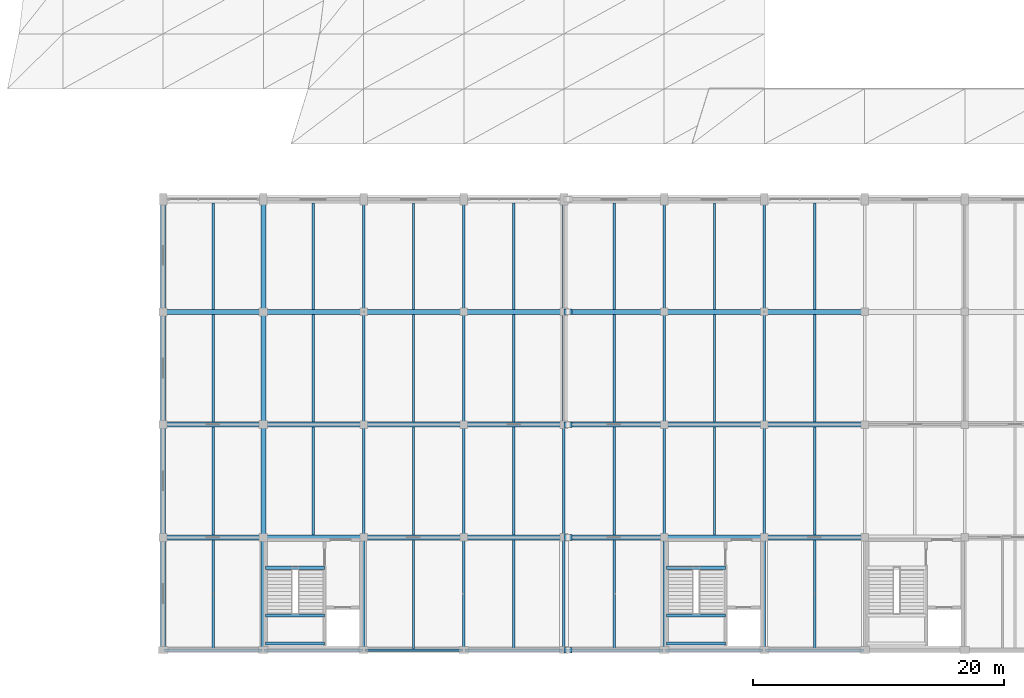
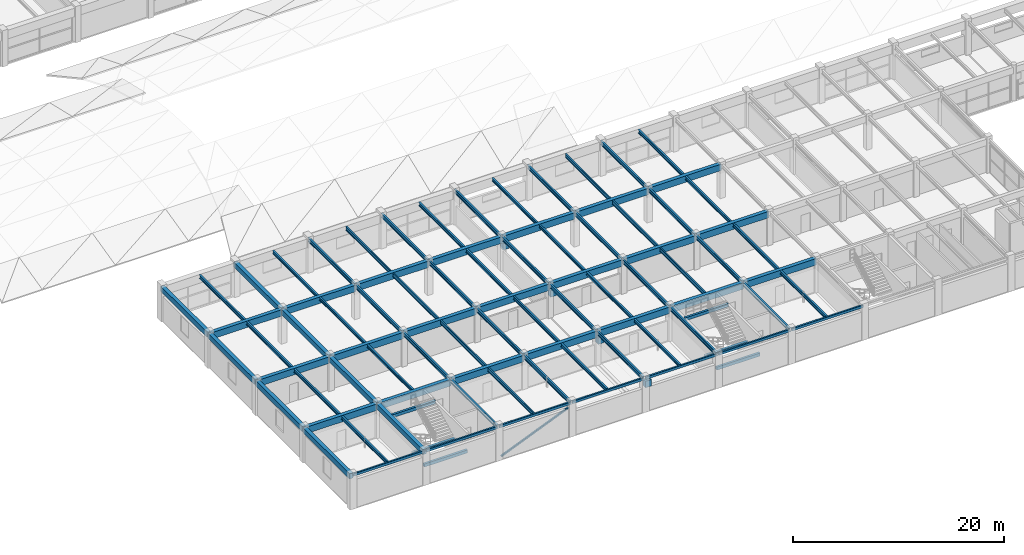
# One storey, part 8 of 126: 92 beams, 1 member.
"""IFC4 building model written with IfcOpenShell, lengths in metres."""

from ifc_helpers import new_model, si_unit, direction, frame, origin, origin_2d, place, context, subcontext, project, spatial, rectangle, hollow_rectangle, i_section, extrude, material, material_profile, profile_set, type_object, element, save


model = new_model("IFC4")

# Units and contexts
model_context = context("Model", 3, precision=1e-05, world=origin(), true_north=direction((0.0, 1.0)))
body_context = subcontext(model_context, "Body", "Model", "MODEL_VIEW")
ifc_project = project(units=[si_unit("LENGTHUNIT", "METRE"), si_unit("AREAUNIT", "SQUARE_METRE"), si_unit("VOLUMEUNIT", "CUBIC_METRE"), si_unit("PLANEANGLEUNIT", "RADIAN"), si_unit("MASSUNIT", "GRAM", prefix="KILO")], contexts=[model_context])

# Site, building, storey
site_placement = place(None, origin())
site = spatial("IfcSite", under=ifc_project, at=site_placement, CompositionType="ELEMENT")
building_placement = place(site_placement, origin())
building = spatial("IfcBuilding", under=site, at=building_placement, Name="Varnabhumi Central Station", CompositionType="ELEMENT")
storey_placement = place(building_placement, frame((0.0, 0.0, 16.199951171875)))
storey = spatial("IfcBuildingStorey", under=building, at=storey_placement, Name="L03", CompositionType="ELEMENT", Elevation=16.199951171875)

# Beams
ifc_material_1 = material(Name="Structural steel E350", Category="steel")
ifc_material_profile_1 = material_profile(ifc_material_1, hollow_rectangle(XDim=0.199951171875, YDim=0.300048828125, WallThickness=0.011962890625, InnerFilletRadius=0.011962890625, OuterFilletRadius=0.02392578125, at=origin_2d()), Name="Structural steel E350", Category="steel")
ifc_profile_set_1 = profile_set([ifc_material_profile_1], Name="Structural steel E350")
beam_type_1 = type_object("IfcBeamType", Name="BM-EDGE-RHS300", PredefinedType="SPANDREL", material=ifc_profile_set_1)
for number, where, z_axis, x_axis, name in (
    (1, (32.10009765625, 0.0, 3.77001953125), (1.0, 0.0, 0.0), (0.0, 1.0, 0.0), "Beam L03-A:5-6"),
    (2, (40.10009765625, 0.0, 3.77001953125), (1.0, 0.0, 0.0), (0.0, 1.0, 0.0), "Beam L03-A:6-7"),
    (3, (48.10009765625, 0.0, 3.77001953125), (1.0, 0.0, 0.0), (0.0, 1.0, 0.0), "Beam L03-A:7-8"),
    (4, (56.10009765625, 0.0, 3.77001953125), (1.0, 0.0, 0.0), (0.0, 1.0, 0.0), "Beam L03-A:8-9"),
    (5, (64.10009765625, 0.0, 3.77001953125), (1.0, 0.0, 0.0), (0.0, 1.0, 0.0), "Beam L03-A:9-10"),
    (6, (72.10009765625, 0.0, 3.77001953125), (1.0, 0.0, 0.0), (0.0, 1.0, 0.0), "Beam L03-A:10-11"),
    (7, (80.10009765625, 0.0, 3.77001953125), (1.0, 0.0, 0.0), (0.0, 1.0, 0.0), "Beam L03-A:11-12"),
):
    element("IfcBeam", number, at=place(storey_placement, frame(where, z_axis=z_axis, x_axis=x_axis)), inside=storey, type_object=beam_type_1, Name=name, PredefinedType="SPANDREL", context=body_context, shape_type="SweptSolid", body=[
        extrude(hollow_rectangle(XDim=0.199951171875, YDim=0.300048828125, WallThickness=0.011962890625, InnerFilletRadius=0.011962890625, OuterFilletRadius=0.02392578125, at=origin_2d()), origin(), (0.0, 0.0, 1.0), 7.7998046875),
    ])
ifc_material_profile_2 = material_profile(ifc_material_1, i_section(OverallWidth=0.14990234375, OverallDepth=0.449951171875, WebThickness=0.009521484375, FlangeThickness=0.017333984375, FilletRadius=0.014892578125, at=origin_2d()), Name="Structural steel E350", Category="steel")
ifc_profile_set_2 = profile_set([ifc_material_profile_2], Name="Structural steel E350")
beam_type_2 = type_object("IfcBeamType", Name="BM-JST-ISMB450", PredefinedType="JOIST", material=ifc_profile_set_2)
beam_1_placement = place(storey_placement, frame((52.0, 0.10009765625, 3.695068359375), z_axis=(0.0, 1.0, 0.0), x_axis=(-1.0, 0.0, 0.0)))
element("IfcBeam", 8, at=beam_1_placement, inside=storey, type_object=beam_type_2, Name="Secondary Joist L03-7/8:A-B", PredefinedType="JOIST", context=body_context, shape_type="SweptSolid", body=[
    extrude(i_section(OverallWidth=0.14990234375, OverallDepth=0.449951171875, WebThickness=0.009521484375, FlangeThickness=0.017333984375, FilletRadius=0.014892578125, at=origin_2d()), origin(), (0.0, 0.0, 1.0), 8.699951171875),
])
for number, where, z_axis, x_axis, name in (
    (9, (52.0, 9.199951171875, 3.695068359375), (0.0, 1.0, 0.0), (-1.0, 0.0, 0.0), "Secondary Joist L03-7/8:B-C"),
    (10, (76.0, 9.199951171875, 3.695068359375), (0.0, 1.0, 0.0), (-1.0, 0.0, 0.0), "Secondary Joist L03-10/11:B-C"),
    (11, (52.0, 18.199951171875, 3.695068359375), (0.0, 1.0, 0.0), (-1.0, 0.0, 0.0), "Secondary Joist L03-7/8:C-D"),
    (12, (76.0, 18.199951171875, 3.695068359375), (0.0, 1.0, 0.0), (-1.0, 0.0, 0.0), "Secondary Joist L03-10/11:C-D"),
):
    element("IfcBeam", number, at=place(storey_placement, frame(where, z_axis=z_axis, x_axis=x_axis)), inside=storey, type_object=beam_type_2, Name=name, PredefinedType="JOIST", context=body_context, shape_type="SweptSolid", body=[
        extrude(i_section(OverallWidth=0.14990234375, OverallDepth=0.449951171875, WebThickness=0.009521484375, FlangeThickness=0.017333984375, FilletRadius=0.014892578125, at=origin_2d()), origin(), (0.0, 0.0, 1.0), 8.60009765625),
    ])
for number, where, z_axis, x_axis, name in (
    (13, (52.0, 27.199951171875, 3.695068359375), (0.0, 1.0, 0.0), (-1.0, 0.0, 0.0), "Secondary Joist L03-7/8:D-E"),
    (14, (76.0, 27.199951171875, 3.695068359375), (0.0, 1.0, 0.0), (-1.0, 0.0, 0.0), "Secondary Joist L03-10/11:D-E"),
):
    element("IfcBeam", number, at=place(storey_placement, frame(where, z_axis=z_axis, x_axis=x_axis)), inside=storey, type_object=beam_type_2, Name=name, PredefinedType="JOIST", context=body_context, shape_type="SweptSolid", body=[
        extrude(i_section(OverallWidth=0.14990234375, OverallDepth=0.449951171875, WebThickness=0.009521484375, FlangeThickness=0.017333984375, FilletRadius=0.014892578125, at=origin_2d()), origin(), (0.0, 0.0, 1.0), 8.5),
    ])
ifc_material_2 = material(Name="Concrete M35", Category="concrete")
ifc_material_profile_3 = material_profile(ifc_material_2, rectangle(XDim=0.25, YDim=0.35009765625, at=origin_2d()), Name="Concrete M35", Category="concrete")
ifc_profile_set_3 = profile_set([ifc_material_profile_3], Name="Concrete M35")
beam_type_3 = type_object("IfcBeamType", Name="BM-RC-250x350", PredefinedType="LINTEL", material=ifc_profile_set_3)
for number, where, z_axis, x_axis, name in (
    (15, (40.179931640625, 0.5400390625, 1.7451171875), (1.0, 0.0, 0.0), (0.0, 1.0, 0.0), "ST-S1 L03 Half Landing Support Beam 1"),
    (16, (40.179931640625, 2.77490234375, 1.7451171875), (1.0, 0.0, 0.0), (0.0, 1.0, 0.0), "ST-S1 L03 Half Landing Support Beam 2"),
    (17, (40.179931640625, 6.580078125, 3.775146484375), (1.0, 0.0, 0.0), (0.0, 1.0, 0.0), "ST-S1 L03 Floor Opening Trimmer Beam"),
    (18, (72.179931640625, 0.5400390625, 1.7451171875), (1.0, 0.0, 0.0), (0.0, 1.0, 0.0), "ST-S4 L03 Half Landing Support Beam 1"),
    (19, (72.179931640625, 2.77490234375, 1.7451171875), (1.0, 0.0, 0.0), (0.0, 1.0, 0.0), "ST-S4 L03 Half Landing Support Beam 2"),
    (20, (72.179931640625, 6.580078125, 3.775146484375), (1.0, 0.0, 0.0), (0.0, 1.0, 0.0), "ST-S4 L03 Floor Opening Trimmer Beam"),
):
    element("IfcBeam", number, at=place(storey_placement, frame(where, z_axis=z_axis, x_axis=x_axis)), inside=storey, type_object=beam_type_3, Name=name, PredefinedType="LINTEL", context=body_context, shape_type="SweptSolid", body=[
        extrude(rectangle(XDim=0.25, YDim=0.35009765625, at=origin_2d()), origin(), (0.0, 0.0, 1.0), 4.719970703125),
    ])
ifc_material_3 = material(Name="Concrete M40", Category="concrete")
ifc_material_profile_4 = material_profile(ifc_material_3, rectangle(XDim=0.39990234375, YDim=0.60009765625, at=origin_2d()), Name="Concrete M40", Category="concrete")
ifc_profile_set_4 = profile_set([ifc_material_profile_4], Name="Concrete M40")
beam_type_4 = type_object("IfcBeamType", Name="BM-RC-400x600", PredefinedType="BEAM", material=ifc_profile_set_4)
for number, where, z_axis, x_axis, name in (
    (21, (32.0, 0.10009765625, 3.6201171875), (0.0, 1.0, 0.0), (-1.0, 0.0, 0.0), "Beam L03-5:A-B"),
    (22, (40.0, 0.10009765625, 3.6201171875), (0.0, 1.0, 0.0), (-1.0, 0.0, 0.0), "Beam L03-6:A-B"),
    (23, (32.0, 9.10009765625, 3.6201171875), (0.0, 1.0, 0.0), (-1.0, 0.0, 0.0), "Beam L03-5:B-C"),
    (24, (40.0, 9.10009765625, 3.6201171875), (0.0, 1.0, 0.0), (-1.0, 0.0, 0.0), "Beam L03-6:B-C"),
    (25, (32.0, 18.10009765625, 3.6201171875), (0.0, 1.0, 0.0), (-1.0, 0.0, 0.0), "Beam L03-5:C-D"),
    (26, (40.0, 18.10009765625, 3.6201171875), (0.0, 1.0, 0.0), (-1.0, 0.0, 0.0), "Beam L03-6:C-D"),
    (27, (32.0, 27.10009765625, 3.6201171875), (0.0, 1.0, 0.0), (-1.0, 0.0, 0.0), "Beam L03-5:D-E"),
    (28, (40.0, 27.10009765625, 3.6201171875), (0.0, 1.0, 0.0), (-1.0, 0.0, 0.0), "Beam L03-6:D-E"),
):
    element("IfcBeam", number, at=place(storey_placement, frame(where, z_axis=z_axis, x_axis=x_axis)), inside=storey, type_object=beam_type_4, Name=name, PredefinedType="BEAM", context=body_context, shape_type="SweptSolid", body=[
        extrude(rectangle(XDim=0.39990234375, YDim=0.60009765625, at=origin_2d()), origin(), (0.0, 0.0, 1.0), 8.7998046875),
    ])
ifc_material_profile_5 = material_profile(ifc_material_3, rectangle(XDim=0.39990234375, YDim=0.75, at=origin_2d()), Name="Concrete M40", Category="concrete")
ifc_profile_set_5 = profile_set([ifc_material_profile_5], Name="Concrete M40")
beam_type_5 = type_object("IfcBeamType", Name="BM-RC-400x750", PredefinedType="BEAM", material=ifc_profile_set_5)
for number, where, z_axis, x_axis, name in (
    (29, (32.10009765625, 9.0, 3.545166015625), (1.0, 0.0, 0.0), (0.0, 1.0, 0.0), "Beam L03-B:5-6"),
    (30, (32.10009765625, 18.0, 3.545166015625), (1.0, 0.0, 0.0), (0.0, 1.0, 0.0), "Beam L03-C:5-6"),
    (31, (32.10009765625, 27.0, 3.545166015625), (1.0, 0.0, 0.0), (0.0, 1.0, 0.0), "Beam L03-D:5-6"),
    (32, (40.10009765625, 9.0, 3.545166015625), (1.0, 0.0, 0.0), (0.0, 1.0, 0.0), "Beam L03-B:6-7"),
    (33, (40.10009765625, 18.0, 3.545166015625), (1.0, 0.0, 0.0), (0.0, 1.0, 0.0), "Beam L03-C:6-7"),
    (34, (40.10009765625, 27.0, 3.545166015625), (1.0, 0.0, 0.0), (0.0, 1.0, 0.0), "Beam L03-D:6-7"),
    (35, (48.10009765625, 9.0, 3.545166015625), (1.0, 0.0, 0.0), (0.0, 1.0, 0.0), "Beam L03-B:7-8"),
    (36, (48.10009765625, 18.0, 3.545166015625), (1.0, 0.0, 0.0), (0.0, 1.0, 0.0), "Beam L03-C:7-8"),
    (37, (48.10009765625, 27.0, 3.545166015625), (1.0, 0.0, 0.0), (0.0, 1.0, 0.0), "Beam L03-D:7-8"),
    (38, (56.10009765625, 9.0, 3.545166015625), (1.0, 0.0, 0.0), (0.0, 1.0, 0.0), "Beam L03-B:8-9"),
    (39, (56.10009765625, 18.0, 3.545166015625), (1.0, 0.0, 0.0), (0.0, 1.0, 0.0), "Beam L03-C:8-9"),
    (40, (56.10009765625, 27.0, 3.545166015625), (1.0, 0.0, 0.0), (0.0, 1.0, 0.0), "Beam L03-D:8-9"),
    (41, (64.10009765625, 9.0, 3.545166015625), (1.0, 0.0, 0.0), (0.0, 1.0, 0.0), "Beam L03-B:9-10"),
    (42, (64.10009765625, 18.0, 3.545166015625), (1.0, 0.0, 0.0), (0.0, 1.0, 0.0), "Beam L03-C:9-10"),
    (43, (64.10009765625, 27.0, 3.545166015625), (1.0, 0.0, 0.0), (0.0, 1.0, 0.0), "Beam L03-D:9-10"),
    (44, (72.10009765625, 9.0, 3.545166015625), (1.0, 0.0, 0.0), (0.0, 1.0, 0.0), "Beam L03-B:10-11"),
    (45, (72.10009765625, 18.0, 3.545166015625), (1.0, 0.0, 0.0), (0.0, 1.0, 0.0), "Beam L03-C:10-11"),
    (46, (72.10009765625, 27.0, 3.545166015625), (1.0, 0.0, 0.0), (0.0, 1.0, 0.0), "Beam L03-D:10-11"),
    (47, (80.10009765625, 9.0, 3.545166015625), (1.0, 0.0, 0.0), (0.0, 1.0, 0.0), "Beam L03-B:11-12"),
    (48, (80.10009765625, 18.0, 3.545166015625), (1.0, 0.0, 0.0), (0.0, 1.0, 0.0), "Beam L03-C:11-12"),
    (49, (80.10009765625, 27.0, 3.545166015625), (1.0, 0.0, 0.0), (0.0, 1.0, 0.0), "Beam L03-D:11-12"),
):
    element("IfcBeam", number, at=place(storey_placement, frame(where, z_axis=z_axis, x_axis=x_axis)), inside=storey, type_object=beam_type_5, Name=name, PredefinedType="BEAM", context=body_context, shape_type="SweptSolid", body=[
        extrude(rectangle(XDim=0.39990234375, YDim=0.75, at=origin_2d()), origin(), (0.0, 0.0, 1.0), 7.7998046875),
    ])
ifc_material_profile_6 = material_profile(ifc_material_3, rectangle(XDim=0.449951171875, YDim=0.75, at=origin_2d()), Name="Concrete M40", Category="concrete")
ifc_profile_set_6 = profile_set([ifc_material_profile_6], Name="Concrete M40")
beam_type_6 = type_object("IfcBeamType", Name="BM-RC-450x750", PredefinedType="BEAM", material=ifc_profile_set_6)
for number, where, z_axis, x_axis, name in (
    (50, (64.0, 0.0, 3.1650390625), (1.0, 0.0, 0.0), (0.0, 1.0, 0.0), "Movement Joint 650mm Corbel Seat L03-A-9"),
    (51, (64.0, 9.0, 2.715087890625), (1.0, 0.0, 0.0), (0.0, 1.0, 0.0), "Movement Joint 650mm Corbel Seat L03-B-9"),
    (52, (64.0, 18.0, 2.715087890625), (1.0, 0.0, 0.0), (0.0, 1.0, 0.0), "Movement Joint 650mm Corbel Seat L03-C-9"),
    (53, (64.0, 27.0, 2.715087890625), (1.0, 0.0, 0.0), (0.0, 1.0, 0.0), "Movement Joint 650mm Corbel Seat L03-D-9"),
):
    element("IfcBeam", number, at=place(storey_placement, frame(where, z_axis=z_axis, x_axis=x_axis)), inside=storey, type_object=beam_type_6, Name=name, PredefinedType="BEAM", context=body_context, shape_type="SweptSolid", body=[
        extrude(rectangle(XDim=0.449951171875, YDim=0.75, at=origin_2d()), origin(), (0.0, 0.0, 1.0), 0.64990234375),
    ])
ifc_material_profile_7 = material_profile(ifc_material_1, i_section(OverallWidth=0.199951171875, OverallDepth=0.39990234375, WebThickness=0.008544921875, FlangeThickness=0.012939453125, FilletRadius=0.012939453125, at=origin_2d()), Name="Structural steel E350", Category="steel")
ifc_profile_set_7 = profile_set([ifc_material_profile_7], Name="Structural steel E350")
beam_type_7 = type_object("IfcBeamType", Name="BM-SEC-ISWB400", PredefinedType="JOIST", material=ifc_profile_set_7)
for number, where, z_axis, x_axis, name in (
    (54, (36.0, 0.10009765625, 3.719970703125), (0.0, 1.0, 0.0), (-1.0, 0.0, 0.0), "Secondary Joist L03-5/6:A-B"),
    (55, (60.0, 0.10009765625, 3.719970703125), (0.0, 1.0, 0.0), (-1.0, 0.0, 0.0), "Secondary Joist L03-8/9:A-B"),
    (56, (84.0, 0.10009765625, 3.719970703125), (0.0, 1.0, 0.0), (-1.0, 0.0, 0.0), "Secondary Joist L03-11/12:A-B"),
):
    element("IfcBeam", number, at=place(storey_placement, frame(where, z_axis=z_axis, x_axis=x_axis)), inside=storey, type_object=beam_type_7, Name=name, PredefinedType="JOIST", context=body_context, shape_type="SweptSolid", body=[
        extrude(i_section(OverallWidth=0.199951171875, OverallDepth=0.39990234375, WebThickness=0.008544921875, FlangeThickness=0.012939453125, FilletRadius=0.012939453125, at=origin_2d()), origin(), (0.0, 0.0, 1.0), 8.699951171875),
    ])
for number, where, z_axis, x_axis, name in (
    (57, (36.0, 9.199951171875, 3.719970703125), (0.0, 1.0, 0.0), (-1.0, 0.0, 0.0), "Secondary Joist L03-5/6:B-C"),
    (58, (60.0, 9.199951171875, 3.719970703125), (0.0, 1.0, 0.0), (-1.0, 0.0, 0.0), "Secondary Joist L03-8/9:B-C"),
    (59, (84.0, 9.199951171875, 3.719970703125), (0.0, 1.0, 0.0), (-1.0, 0.0, 0.0), "Secondary Joist L03-11/12:B-C"),
    (60, (36.0, 18.199951171875, 3.719970703125), (0.0, 1.0, 0.0), (-1.0, 0.0, 0.0), "Secondary Joist L03-5/6:C-D"),
    (61, (60.0, 18.199951171875, 3.719970703125), (0.0, 1.0, 0.0), (-1.0, 0.0, 0.0), "Secondary Joist L03-8/9:C-D"),
    (62, (84.0, 18.199951171875, 3.719970703125), (0.0, 1.0, 0.0), (-1.0, 0.0, 0.0), "Secondary Joist L03-11/12:C-D"),
):
    element("IfcBeam", number, at=place(storey_placement, frame(where, z_axis=z_axis, x_axis=x_axis)), inside=storey, type_object=beam_type_7, Name=name, PredefinedType="JOIST", context=body_context, shape_type="SweptSolid", body=[
        extrude(i_section(OverallWidth=0.199951171875, OverallDepth=0.39990234375, WebThickness=0.008544921875, FlangeThickness=0.012939453125, FilletRadius=0.012939453125, at=origin_2d()), origin(), (0.0, 0.0, 1.0), 8.60009765625),
    ])
for number, where, z_axis, x_axis, name in (
    (63, (36.0, 27.199951171875, 3.719970703125), (0.0, 1.0, 0.0), (-1.0, 0.0, 0.0), "Secondary Joist L03-5/6:D-E"),
    (64, (60.0, 27.199951171875, 3.719970703125), (0.0, 1.0, 0.0), (-1.0, 0.0, 0.0), "Secondary Joist L03-8/9:D-E"),
    (65, (84.0, 27.199951171875, 3.719970703125), (0.0, 1.0, 0.0), (-1.0, 0.0, 0.0), "Secondary Joist L03-11/12:D-E"),
):
    element("IfcBeam", number, at=place(storey_placement, frame(where, z_axis=z_axis, x_axis=x_axis)), inside=storey, type_object=beam_type_7, Name=name, PredefinedType="JOIST", context=body_context, shape_type="SweptSolid", body=[
        extrude(i_section(OverallWidth=0.199951171875, OverallDepth=0.39990234375, WebThickness=0.008544921875, FlangeThickness=0.012939453125, FilletRadius=0.012939453125, at=origin_2d()), origin(), (0.0, 0.0, 1.0), 8.5),
    ])
ifc_material_profile_8 = material_profile(ifc_material_1, i_section(OverallWidth=0.199951171875, OverallDepth=0.35009765625, WebThickness=0.008056640625, FlangeThickness=0.011474609375, FilletRadius=0.011962890625, at=origin_2d()), Name="Structural steel E350", Category="steel")
ifc_profile_set_8 = profile_set([ifc_material_profile_8], Name="Structural steel E350")
beam_type_8 = type_object("IfcBeamType", Name="BM-STL-ISWB350", PredefinedType="JOIST", material=ifc_profile_set_8)
beam_2_placement = place(storey_placement, frame((68.0, 0.10009765625, 3.7451171875), z_axis=(0.0, 1.0, 0.0), x_axis=(-1.0, 0.0, 0.0)))
element("IfcBeam", 66, at=beam_2_placement, inside=storey, type_object=beam_type_8, Name="Secondary Joist L03-9/10:A-B", PredefinedType="JOIST", context=body_context, shape_type="SweptSolid", body=[
    extrude(i_section(OverallWidth=0.199951171875, OverallDepth=0.35009765625, WebThickness=0.008056640625, FlangeThickness=0.011474609375, FilletRadius=0.011962890625, at=origin_2d()), origin(), (0.0, 0.0, 1.0), 8.699951171875),
])
for number, where, z_axis, x_axis, name in (
    (67, (44.0, 9.199951171875, 3.7451171875), (0.0, 1.0, 0.0), (-1.0, 0.0, 0.0), "Secondary Joist L03-6/7:B-C"),
    (68, (68.0, 9.199951171875, 3.7451171875), (0.0, 1.0, 0.0), (-1.0, 0.0, 0.0), "Secondary Joist L03-9/10:B-C"),
    (69, (44.0, 18.199951171875, 3.7451171875), (0.0, 1.0, 0.0), (-1.0, 0.0, 0.0), "Secondary Joist L03-6/7:C-D"),
    (70, (68.0, 18.199951171875, 3.7451171875), (0.0, 1.0, 0.0), (-1.0, 0.0, 0.0), "Secondary Joist L03-9/10:C-D"),
):
    element("IfcBeam", number, at=place(storey_placement, frame(where, z_axis=z_axis, x_axis=x_axis)), inside=storey, type_object=beam_type_8, Name=name, PredefinedType="JOIST", context=body_context, shape_type="SweptSolid", body=[
        extrude(i_section(OverallWidth=0.199951171875, OverallDepth=0.35009765625, WebThickness=0.008056640625, FlangeThickness=0.011474609375, FilletRadius=0.011962890625, at=origin_2d()), origin(), (0.0, 0.0, 1.0), 8.60009765625),
    ])
for number, where, z_axis, x_axis, name in (
    (71, (44.0, 27.199951171875, 3.7451171875), (0.0, 1.0, 0.0), (-1.0, 0.0, 0.0), "Secondary Joist L03-6/7:D-E"),
    (72, (68.0, 27.199951171875, 3.7451171875), (0.0, 1.0, 0.0), (-1.0, 0.0, 0.0), "Secondary Joist L03-9/10:D-E"),
):
    element("IfcBeam", number, at=place(storey_placement, frame(where, z_axis=z_axis, x_axis=x_axis)), inside=storey, type_object=beam_type_8, Name=name, PredefinedType="JOIST", context=body_context, shape_type="SweptSolid", body=[
        extrude(i_section(OverallWidth=0.199951171875, OverallDepth=0.35009765625, WebThickness=0.008056640625, FlangeThickness=0.011474609375, FilletRadius=0.011962890625, at=origin_2d()), origin(), (0.0, 0.0, 1.0), 8.5),
    ])
ifc_material_profile_9 = material_profile(ifc_material_1, i_section(OverallWidth=0.199951171875, OverallDepth=0.449951171875, WebThickness=0.00927734375, FlangeThickness=0.015380859375, FilletRadius=0.013916015625, at=origin_2d()), Name="Structural steel E350", Category="steel")
ifc_profile_set_9 = profile_set([ifc_material_profile_9], Name="Structural steel E350")
beam_type_9 = type_object("IfcBeamType", Name="BM-STL-ISWB450", PredefinedType="BEAM", material=ifc_profile_set_9)
for number, where, z_axis, x_axis, name in (
    (73, (48.0, 0.10009765625, 3.695068359375), (0.0, 1.0, 0.0), (-1.0, 0.0, 0.0), "Beam L03-7:A-B"),
    (74, (56.0, 0.10009765625, 3.695068359375), (0.0, 1.0, 0.0), (-1.0, 0.0, 0.0), "Beam L03-8:A-B"),
    (75, (64.0, 0.10009765625, 3.695068359375), (0.0, 1.0, 0.0), (-1.0, 0.0, 0.0), "Beam L03-9:A-B"),
    (76, (72.0, 0.10009765625, 3.695068359375), (0.0, 1.0, 0.0), (-1.0, 0.0, 0.0), "Beam L03-10:A-B"),
    (77, (80.0, 0.10009765625, 3.695068359375), (0.0, 1.0, 0.0), (-1.0, 0.0, 0.0), "Beam L03-11:A-B"),
    (78, (48.0, 9.10009765625, 3.695068359375), (0.0, 1.0, 0.0), (-1.0, 0.0, 0.0), "Beam L03-7:B-C"),
    (79, (56.0, 9.10009765625, 3.695068359375), (0.0, 1.0, 0.0), (-1.0, 0.0, 0.0), "Beam L03-8:B-C"),
    (80, (64.0, 9.10009765625, 3.695068359375), (0.0, 1.0, 0.0), (-1.0, 0.0, 0.0), "Beam L03-9:B-C"),
    (81, (72.0, 9.10009765625, 3.695068359375), (0.0, 1.0, 0.0), (-1.0, 0.0, 0.0), "Beam L03-10:B-C"),
    (82, (80.0, 9.10009765625, 3.695068359375), (0.0, 1.0, 0.0), (-1.0, 0.0, 0.0), "Beam L03-11:B-C"),
    (83, (48.0, 18.10009765625, 3.695068359375), (0.0, 1.0, 0.0), (-1.0, 0.0, 0.0), "Beam L03-7:C-D"),
    (84, (56.0, 18.10009765625, 3.695068359375), (0.0, 1.0, 0.0), (-1.0, 0.0, 0.0), "Beam L03-8:C-D"),
    (85, (64.0, 18.10009765625, 3.695068359375), (0.0, 1.0, 0.0), (-1.0, 0.0, 0.0), "Beam L03-9:C-D"),
    (86, (72.0, 18.10009765625, 3.695068359375), (0.0, 1.0, 0.0), (-1.0, 0.0, 0.0), "Beam L03-10:C-D"),
    (87, (80.0, 18.10009765625, 3.695068359375), (0.0, 1.0, 0.0), (-1.0, 0.0, 0.0), "Beam L03-11:C-D"),
    (88, (48.0, 27.10009765625, 3.695068359375), (0.0, 1.0, 0.0), (-1.0, 0.0, 0.0), "Beam L03-7:D-E"),
    (89, (56.0, 27.10009765625, 3.695068359375), (0.0, 1.0, 0.0), (-1.0, 0.0, 0.0), "Beam L03-8:D-E"),
    (90, (64.0, 27.10009765625, 3.695068359375), (0.0, 1.0, 0.0), (-1.0, 0.0, 0.0), "Beam L03-9:D-E"),
    (91, (72.0, 27.10009765625, 3.695068359375), (0.0, 1.0, 0.0), (-1.0, 0.0, 0.0), "Beam L03-10:D-E"),
    (92, (80.0, 27.10009765625, 3.695068359375), (0.0, 1.0, 0.0), (-1.0, 0.0, 0.0), "Beam L03-11:D-E"),
):
    element("IfcBeam", number, at=place(storey_placement, frame(where, z_axis=z_axis, x_axis=x_axis)), inside=storey, type_object=beam_type_9, Name=name, PredefinedType="BEAM", context=body_context, shape_type="SweptSolid", body=[
        extrude(i_section(OverallWidth=0.199951171875, OverallDepth=0.449951171875, WebThickness=0.00927734375, FlangeThickness=0.015380859375, FilletRadius=0.013916015625, at=origin_2d()), origin(), (0.0, 0.0, 1.0), 8.7998046875),
    ])

# Member
ifc_material_profile_10 = material_profile(ifc_material_1, hollow_rectangle(XDim=0.179931640625, YDim=0.179931640625, WallThickness=0.008056640625, InnerFilletRadius=0.008056640625, OuterFilletRadius=0.01611328125, at=origin_2d()), Name="Structural steel E350", Category="steel")
ifc_profile_set_10 = profile_set([ifc_material_profile_10], Name="Structural steel E350")
member_type = type_object("IfcMemberType", Name="MBR-BRACE-SHS180", PredefinedType="BRACE", material=ifc_profile_set_10)
member_placement = place(storey_placement, frame((48.320068359375, 0.0, 0.25), z_axis=(0.923813233643, 0.0, 0.382843452793), x_axis=(0.0, 1.0, 0.0)))
element("IfcMember", 93, at=member_placement, inside=storey, type_object=member_type, Name="Lateral Frame Brace WB-4", PredefinedType="BRACE", context=body_context, shape_type="SweptSolid", body=[
    extrude(hollow_rectangle(XDim=0.179931640625, YDim=0.179931640625, WallThickness=0.008056640625, InnerFilletRadius=0.008056640625, OuterFilletRadius=0.01611328125, at=origin_2d()), origin(), (0.0, 0.0, 1.0), 7.966796875),
])

save(model, "model.ifc")
